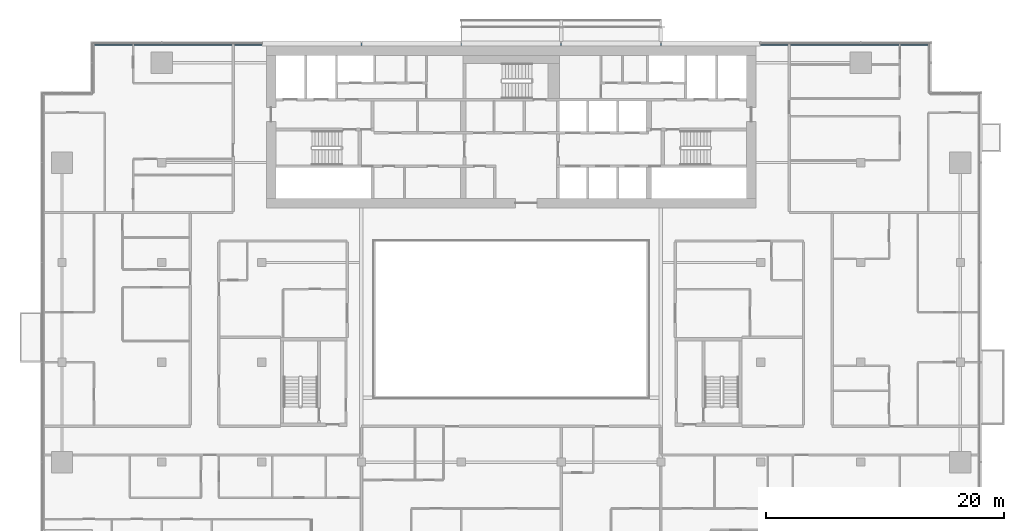
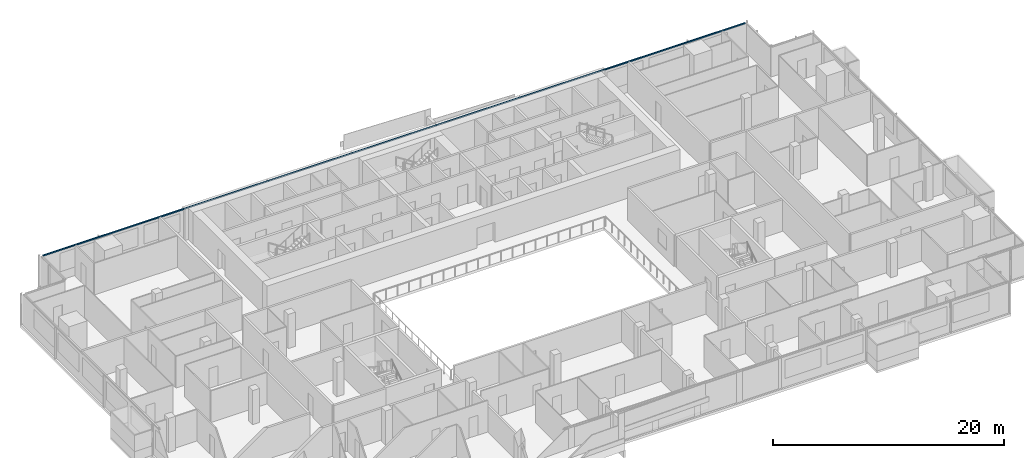
# One storey, part 9 of 27: 1 member, 1 element without a shape of its own.
"""IFC4 building model written with IfcOpenShell, lengths in metres."""

from ifc_helpers import new_model, si_unit, direction, frame, origin, origin_2d, place, context, subcontext, project, spatial, rectangle, extrude, material, material_profile, profile_set, type_object, element, aggregate, save


model = new_model("IFC4")

# Units and contexts
model_context = context("Model", 3, precision=1e-05, world=origin(), true_north=direction((0.0, 1.0)))
body_context = subcontext(model_context, "Body", "Model", "MODEL_VIEW")
ifc_project = project(units=[si_unit("LENGTHUNIT", "METRE"), si_unit("AREAUNIT", "SQUARE_METRE"), si_unit("VOLUMEUNIT", "CUBIC_METRE"), si_unit("PLANEANGLEUNIT", "RADIAN"), si_unit("MASSUNIT", "GRAM", prefix="KILO")], contexts=[model_context])

# Site, building, storey
site_placement = place(None, origin())
site = spatial("IfcSite", under=ifc_project, at=site_placement, CompositionType="ELEMENT")
building_placement = place(site_placement, origin())
building = spatial("IfcBuilding", under=site, at=building_placement, Name="Saffron Gate Tower", CompositionType="ELEMENT")
storey_placement = place(building_placement, frame((0.0, 0.0, 172.64990234375)))
storey = spatial("IfcBuildingStorey", under=building, at=storey_placement, Name="L42", CompositionType="ELEMENT", Elevation=172.64990234375)

# Curtain wall, member
ifc_material = material(Name="Aluminium, bronze anodised", Category="aluminium")
curtain_wall_type = type_object("IfcCurtainWallType", Name="CWS3 curtain wall rear facade", PredefinedType="NOTDEFINED", material=ifc_material)
curtain_wall_placement = place(storey_placement, origin())
curtain_wall = element("IfcCurtainWall", 1, at=curtain_wall_placement, inside=storey, type_object=curtain_wall_type, Name="CWS3 run 7", PredefinedType="NOTDEFINED")
ifc_material_profile = material_profile(ifc_material, rectangle(XDim=0.1201171875, YDim=0.1201171875, at=origin_2d()))
ifc_profile_set = profile_set([ifc_material_profile], Name="Aluminium, bronze anodised")
member_type = type_object("IfcMemberType", Name="CWS3 head transom", PredefinedType="USERDEFINED", material=ifc_profile_set)
member_placement = place(storey_placement, frame((122.632080078125, 75.35205078125, 3.260009765625), z_axis=(-1.0, 0.0, 0.0), x_axis=(0.0, -1.0, 0.0)))
member = element("IfcMember", 2, at=member_placement, type_object=member_type, Name="CWS3 head transom", ObjectType="TRANSOM", PredefinedType="USERDEFINED", context=body_context, shape_type="SweptSolid", body=[
    extrude(rectangle(XDim=0.1201171875, YDim=0.1201171875, at=origin_2d()), origin(), (0.0, 0.0, 1.0), 70.06396484375),
])
aggregate(curtain_wall, [member])

save(model, "model.ifc")
